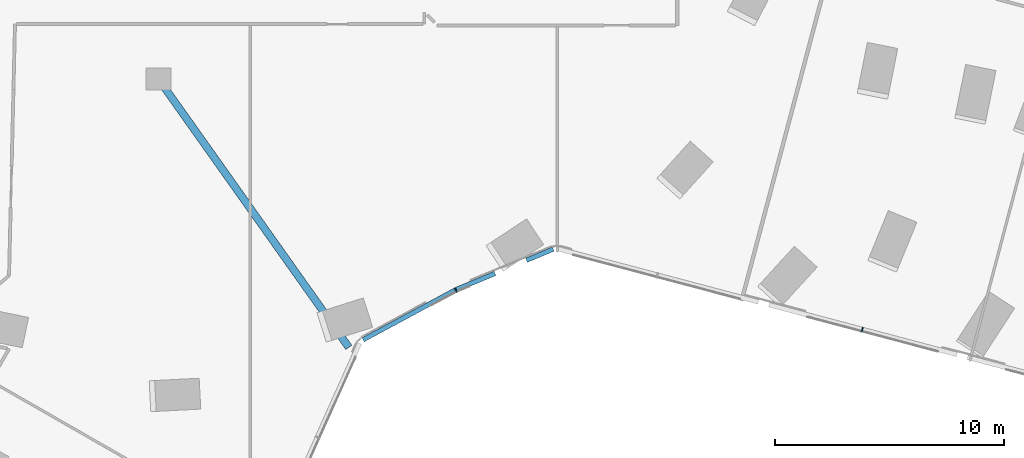
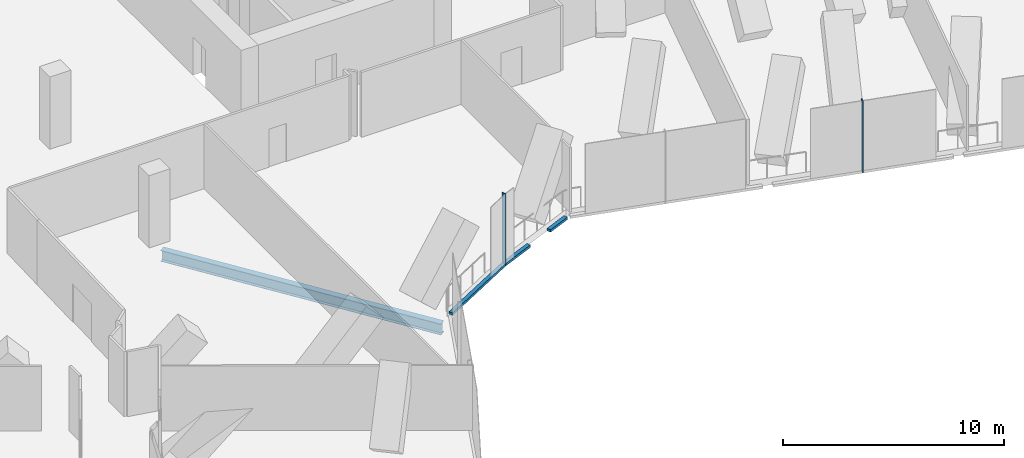
# One storey, part 8 of 37: 5 members, 1 beam, 3 elements without a shape of their own.
"""IFC4 building model written with IfcOpenShell, lengths in metres."""

from ifc_helpers import new_model, si_unit, direction, frame, origin, origin_2d, place, context, subcontext, project, spatial, rectangle, i_section, extrude, material, material_profile, profile_set, type_object, element, aggregate, save


model = new_model("IFC4")

# Units and contexts
model_context = context("Model", 3, precision=1e-05, world=origin(), true_north=direction((0.0, 1.0)))
body_context = subcontext(model_context, "Body", "Model", "MODEL_VIEW")
ifc_project = project(units=[si_unit("LENGTHUNIT", "METRE"), si_unit("AREAUNIT", "SQUARE_METRE"), si_unit("VOLUMEUNIT", "CUBIC_METRE"), si_unit("PLANEANGLEUNIT", "RADIAN"), si_unit("MASSUNIT", "GRAM", prefix="KILO")], contexts=[model_context])

# Site, building, storey
site_placement = place(None, origin())
site = spatial("IfcSite", under=ifc_project, at=site_placement, CompositionType="ELEMENT")
building_placement = place(site_placement, origin())
building = spatial("IfcBuilding", under=site, at=building_placement, Name="Orlundy Tower", CompositionType="ELEMENT")
storey_placement = place(building_placement, frame((0.0, 0.0, 119.699951171875)))
storey = spatial("IfcBuildingStorey", under=building, at=storey_placement, Name="L30", CompositionType="ELEMENT", Elevation=119.699951171875)

# Beam
ifc_material_1 = material(Name="Steel ASTM A992 Gr 50", Category="steel")
ifc_material_profile_1 = material_profile(ifc_material_1, i_section(OverallWidth=0.32373046875, OverallDepth=0.611083984375, WebThickness=0.0126953125, FlangeThickness=0.01904296875, at=origin_2d()), Name="W24X104")
ifc_profile_set_1 = profile_set([ifc_material_profile_1], Name="Steel ASTM A992 Gr 50")
beam_type = type_object("IfcBeamType", Name="CANTILEVER GIRDER beam W24X104", PredefinedType="BEAM", material=ifc_profile_set_1)
beam_placement = place(storey_placement, frame((8.305908203125, -29.7119140625, -0.70556640625), z_axis=(-0.578487309174, 0.815691383505, 0.0), x_axis=(-0.815691383505, -0.578487309174, 0.0)))
element("IfcBeam", 1, at=beam_placement, inside=storey, type_object=beam_type, Name="Cantilever girder C-H09 L30", PredefinedType="BEAM", context=body_context, shape_type="SweptSolid", body=[
    extrude(i_section(OverallWidth=0.32373046875, OverallDepth=0.611083984375, WebThickness=0.0126953125, FlangeThickness=0.01904296875, at=origin_2d()), origin(), (0.0, 0.0, 1.0), 13.97802734375),
])

# Curtain wall, member
ifc_material_2 = material(Name="Aluminium bronze anodised", Category="aluminium")
curtain_wall_type = type_object("IfcCurtainWallType", Name="CW5 wall", PredefinedType="NOTDEFINED", material=ifc_material_2)
curtain_wall_1_placement = place(storey_placement, origin())
curtain_wall_1 = element("IfcCurtainWall", 2, at=curtain_wall_1_placement, inside=storey, type_object=curtain_wall_type, Name="CW5 run 027", PredefinedType="NOTDEFINED")
ifc_material_3 = material(Name="Aluminium bronze anodised", Category="aluminium")
ifc_material_profile_2 = material_profile(ifc_material_3, rectangle(XDim=0.199951171875, YDim=0.050048828125, at=origin_2d()), Name="CW5 mullion 50x200")
ifc_profile_set_2 = profile_set([ifc_material_profile_2], Name="Aluminium bronze anodised")
member_type_1 = type_object("IfcMemberType", Name="CW5 mullion 50x200", PredefinedType="MULLION", material=ifc_profile_set_2)
member_1_placement = place(storey_placement, frame((30.725341796875, -28.93017578125, -0.39990234375), z_axis=(0.0, 0.0, 1.0), x_axis=(-0.256011270968, -0.966673796654, 0.0)))
member_1 = element("IfcMember", 3, at=member_1_placement, type_object=member_type_1, Name="CW5 mullion 45", PredefinedType="MULLION", context=body_context, shape_type="SweptSolid", body=[
    extrude(rectangle(XDim=0.199951171875, YDim=0.050048828125, at=origin_2d()), origin(), (0.0, 0.0, 1.0), 4.0),
])
aggregate(curtain_wall_1, [member_1])

curtain_wall_2_placement = place(storey_placement, origin())
curtain_wall_2 = element("IfcCurtainWall", 4, at=curtain_wall_2_placement, inside=storey, type_object=curtain_wall_type, Name="CW5 run 029", PredefinedType="NOTDEFINED")
member_2_placement = place(storey_placement, frame((12.97314453125, -27.201416015625, -0.39990234375), z_axis=(0.0, 0.0, 1.0), x_axis=(0.430525099437, -0.902578605305, 0.0)))
member_2 = element("IfcMember", 5, at=member_2_placement, type_object=member_type_1, Name="CW5 mullion 49", PredefinedType="MULLION", context=body_context, shape_type="SweptSolid", body=[
    extrude(rectangle(XDim=0.199951171875, YDim=0.050048828125, at=origin_2d()), origin(), (0.0, 0.0, 1.0), 4.0),
])

# Curtain wall, members
curtain_wall_3_placement = place(storey_placement, origin())
curtain_wall_3 = element("IfcCurtainWall", 6, at=curtain_wall_3_placement, inside=storey, type_object=curtain_wall_type, Name="CW5 run 028", PredefinedType="NOTDEFINED")
ifc_material_4 = material(Name="Aluminium bronze anodised", Category="aluminium")
ifc_material_profile_3 = material_profile(ifc_material_4, rectangle(XDim=0.199951171875, YDim=0.139892578125, at=origin_2d()), Name="CW5 transom 200x140")
ifc_profile_set_3 = profile_set([ifc_material_profile_3], Name="Aluminium bronze anodised")
member_type_2 = type_object("IfcMemberType", Name="CW5 transom 200x140", PredefinedType="USERDEFINED", material=ifc_profile_set_3)
member_3_placement = place(storey_placement, frame((17.23681640625, -25.4208984375, -0.329833984375), z_axis=(-0.922769108937, -0.385353307487, 0.0), x_axis=(0.385353307487, -0.922769108937, 0.0)))
member_3 = element("IfcMember", 7, at=member_3_placement, type_object=member_type_2, Name="CW5 transom", ObjectType="TRANSOM", PredefinedType="USERDEFINED", context=body_context, shape_type="SweptSolid", body=[
    extrude(rectangle(XDim=0.199951171875, YDim=0.139892578125, at=origin_2d()), origin(), (0.0, 0.0, 1.0), 1.268310546875),
])
member_4_placement = place(storey_placement, frame((14.689453125, -26.484619140625, -0.329833984375), z_axis=(-0.922793265117, -0.385295457869, 0.0), x_axis=(0.385295457869, -0.922793265117, 0.0)))
member_4 = element("IfcMember", 8, at=member_4_placement, type_object=member_type_2, Name="CW5 transom", ObjectType="TRANSOM", PredefinedType="USERDEFINED", context=body_context, shape_type="SweptSolid", body=[
    extrude(rectangle(XDim=0.199951171875, YDim=0.139892578125, at=origin_2d()), origin(), (0.0, 0.0, 1.0), 1.8349609375),
])
aggregate(curtain_wall_3, [member_3, member_4])

# Member
member_5_placement = place(storey_placement, frame((12.951171875, -27.213134765625, -0.329833984375), z_axis=(-0.880153354053, -0.474689449377, 0.0), x_axis=(0.474689449377, -0.880153354053, 0.0)))
member_5 = element("IfcMember", 9, at=member_5_placement, type_object=member_type_2, Name="CW5 transom", ObjectType="TRANSOM", PredefinedType="USERDEFINED", context=body_context, shape_type="SweptSolid", body=[
    extrude(rectangle(XDim=0.199951171875, YDim=0.139892578125, at=origin_2d()), origin(), (0.0, 0.0, 1.0), 4.567138671875),
])

aggregate(curtain_wall_2, [member_2, member_5])

save(model, "model.ifc")
